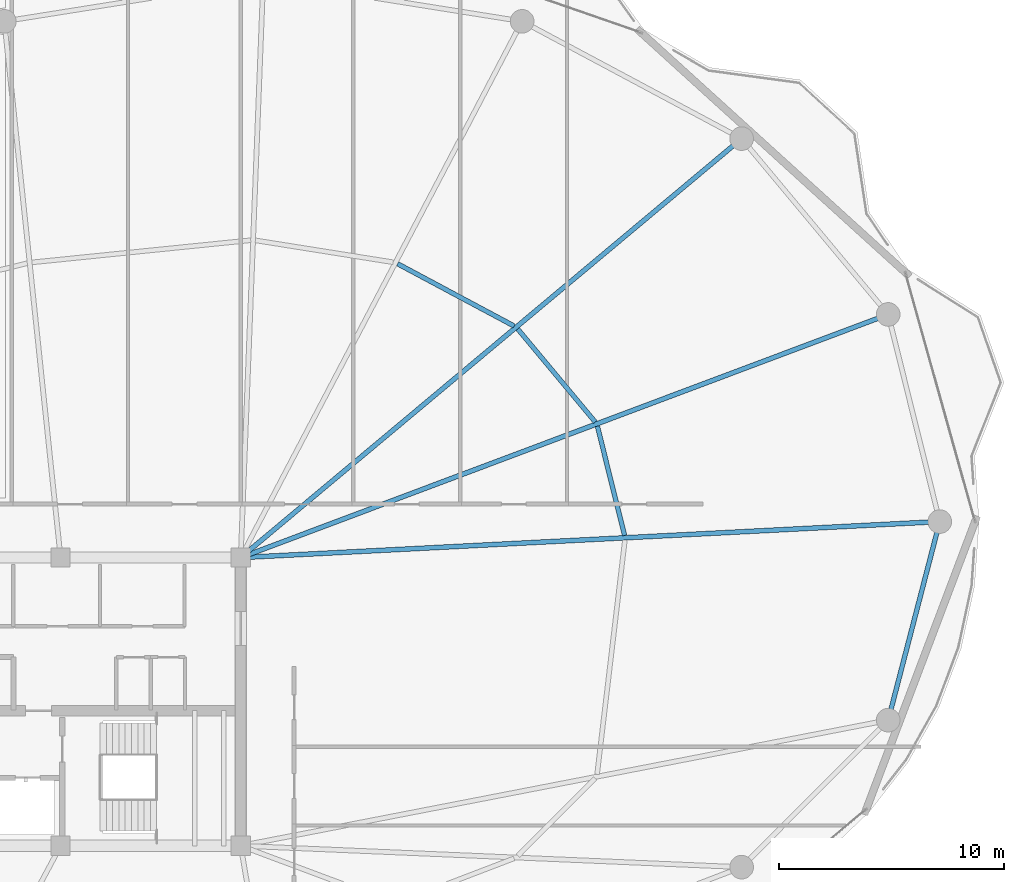
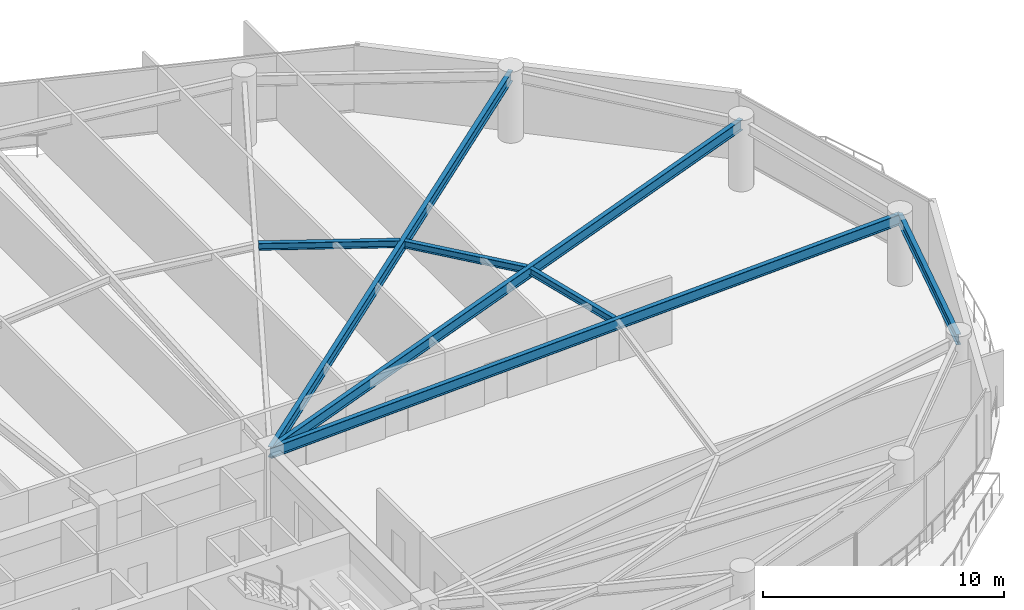
# One storey, part 14 of 28: 7 beams.
"""IFC4 building model written with IfcOpenShell, lengths in metres."""

import ifcopenshell
import ifcopenshell.guid

model = None  # the IFC model being written
_history = None  # IfcOwnerHistory: only IFC2X3 demands one
_inside = {}  # id of a spatial element -> (the spatial element, [elements in it])
_under = {}  # id of a project, library or spatial element -> (it, [spatial elements below it])
_declared = {}  # id of a project -> (the project, [libraries it declares])
_typed = {}  # id of a type object -> (the type object, [elements of that type])
_made_of = {}  # id of a material, layer set ... -> (it, [elements and type objects made of it])


def new_model(schema):
    """Start an empty IFC model of exactly this schema.

    Asked for "IFC4X3", IfcOpenShell would pick the latest addendum, in which some entities
    have other attributes; the version numbers below select the first issue.
    IFC2X3 requires an IfcOwnerHistory on every rooted entity: one is made here for all.
    """
    global model, _history
    if schema == "IFC4X3":
        model = ifcopenshell.file(schema_version=(4, 3, 0, 0))
    else:
        model = ifcopenshell.file(schema=schema)
    _inside.clear()
    _under.clear()
    _declared.clear()
    _typed.clear()
    _made_of.clear()
    _history = None
    if model.schema == "IFC2X3":
        org = make("IfcOrganization", Name="unknown")
        user = make(
            "IfcPersonAndOrganization",
            ThePerson=make("IfcPerson", FamilyName="unknown"),
            TheOrganization=org,
        )
        app = make(
            "IfcApplication",
            ApplicationDeveloper=org,
            Version="unknown",
            ApplicationFullName="unknown",
            ApplicationIdentifier="unknown",
        )
        _history = make(
            "IfcOwnerHistory",
            OwningUser=user,
            OwningApplication=app,
            ChangeAction="ADDED",
            CreationDate=0,
        )
    return model


def make(cls, **values):
    """One entity of the class cls with the attributes given. An attribute that is None is left unset."""
    return model.create_entity(
        cls, **{name: value for name, value in values.items() if value is not None}
    )


def rooted(cls, **values):
    """An entity with a GlobalId (a new one), such as an element, a storey or a relation."""
    return make(cls, GlobalId=ifcopenshell.guid.new(), OwnerHistory=_history, **values)


def si_unit(unit_type, name, prefix=None):
    """IfcSIUnit, for example si_unit("LENGTHUNIT", "METRE", prefix="MILLI")."""
    return make("IfcSIUnit", UnitType=unit_type, Prefix=prefix, Name=name)


def assignment(units):
    """IfcUnitAssignment: the units of a project."""
    return None if units is None else make("IfcUnitAssignment", Units=units)


def point(xyz):
    """IfcCartesianPoint."""
    return None if xyz is None else make("IfcCartesianPoint", Coordinates=xyz)


def direction(xyz):
    """IfcDirection."""
    return None if xyz is None else make("IfcDirection", DirectionRatios=xyz)


def frame(location, z_axis=None, x_axis=None):
    """IfcAxis2Placement3D, a coordinate frame: its origin and axes. An axis left out is left unset."""
    return make(
        "IfcAxis2Placement3D",
        Location=point(location),
        Axis=direction(z_axis),
        RefDirection=direction(x_axis),
    )


def frame_2d(location, x_axis=None):
    """IfcAxis2Placement2D, a coordinate frame in the plane: its origin and x axis."""
    return make(
        "IfcAxis2Placement2D", Location=point(location), RefDirection=direction(x_axis)
    )


def origin():
    """The frame at (0, 0, 0) with its axes left unset."""
    return frame((0.0, 0.0, 0.0))


def origin_2d():
    """The frame at (0, 0) in the plane with its x axis left unset."""
    return frame_2d((0.0, 0.0))


def place(relative_to, where):
    """IfcLocalPlacement: puts the frame where relative to a parent placement (None: the world)."""
    return make(
        "IfcLocalPlacement", PlacementRelTo=relative_to, RelativePlacement=where
    )


def context(
    kind, dimensions, precision=None, world=None, true_north=None, identifier=None
):
    """IfcGeometricRepresentationContext, for example the 3D "Model" context."""
    return make(
        "IfcGeometricRepresentationContext",
        ContextIdentifier=identifier,
        ContextType=kind,
        CoordinateSpaceDimension=dimensions,
        Precision=precision,
        WorldCoordinateSystem=world,
        TrueNorth=true_north,
    )


def subcontext(parent, identifier, kind, view, scale=None):
    """IfcGeometricRepresentationSubContext, for example "Body" below "Model"."""
    return make(
        "IfcGeometricRepresentationSubContext",
        ContextIdentifier=identifier,
        ContextType=kind,
        ParentContext=parent,
        TargetScale=scale,
        TargetView=view,
    )


def project(units=None, contexts=None):
    """IfcProject with its units and contexts."""
    return rooted(
        "IfcProject",
        Name="project",
        RepresentationContexts=contexts,
        UnitsInContext=assignment(units),
    )


def spatial(cls, under=None, at=None, **own):
    """A site, building, storey or space (cls), placed at a placement, below another one or the project."""
    s = rooted(cls, ObjectPlacement=at, **own)
    if under is not None:
        _under.setdefault(under.id(), (under, []))[1].append(s)
    return s


def profile(cls, at=None, kind="AREA", **sizes):
    """A parametric profile (cls). Its sizes go by their IFC names, for example OverallWidth=200.0."""
    return make(cls, ProfileType=kind, Position=at, **sizes)


def i_section(**sizes):
    """IfcIShapeProfileDef."""
    return profile("IfcIShapeProfileDef", **sizes)


def extrude(swept, where, along, depth):
    """IfcExtrudedAreaSolid: the profile swept, set in the frame where, extruded along a direction by depth."""
    return make(
        "IfcExtrudedAreaSolid",
        SweptArea=swept,
        Position=where,
        ExtrudedDirection=direction(along),
        Depth=depth,
    )


def shape(context_of_items, identifier, shape_type, items):
    """IfcShapeRepresentation: the items that make up one representation, for example the "Body"."""
    return make(
        "IfcShapeRepresentation",
        ContextOfItems=context_of_items,
        RepresentationIdentifier=identifier,
        RepresentationType=shape_type,
        Items=items,
    )


def material(Name=None, Category=None):
    """IfcMaterial."""
    return make("IfcMaterial", Name=Name, Category=Category)


def material_profile(
    of_material, cross_section, Name=None, Category=None, Priority=None
):
    """IfcMaterialProfile: a cross section and its material."""
    return make(
        "IfcMaterialProfile",
        Name=Name,
        Material=of_material,
        Profile=cross_section,
        Priority=Priority,
        Category=Category,
    )


def profile_set(profiles, Name=None, composite=None):
    """IfcMaterialProfileSet."""
    return make(
        "IfcMaterialProfileSet",
        Name=Name,
        MaterialProfiles=profiles,
        CompositeProfile=composite,
    )


def made_of(thing, what):
    """Note that an element or type object is made of a material, layer set ...; save() writes the relation."""
    if what is not None:
        _made_of.setdefault(what.id(), (what, []))[1].append(thing)
    return thing


def type_object(cls, material=None, **own):
    """A type object (cls), such as IfcWallType, which elements share."""
    return made_of(rooted(cls, **own), material)


def element(
    cls,
    number,
    at=None,
    inside=None,
    cuts=None,
    type_object=None,
    material=None,
    context=None,
    identifier="Body",
    shape_type=None,
    held_by="IfcProductDefinitionShape",
    body=None,
    shapes=None,
    **own,
):
    """One element of the class cls, such as IfcWall. Its Tag is "e" and its number.

    at: its placement. inside: the storey or other place that contains it. cuts: it is an
    opening in that element (IfcRelVoidsElement). A single representation is given by context,
    identifier, shape_type and body (its items); several are given by shapes. held_by: the class
    of the entity that holds the representations. save() writes the other relations.
    """
    e = rooted(cls, Tag="e%d" % number, ObjectPlacement=at, **own)
    if body is not None:
        shapes = [shape(context, identifier, shape_type, body)]
    if shapes is not None:
        e.Representation = make(held_by, Representations=shapes)
    if inside is not None:
        _inside.setdefault(inside.id(), (inside, []))[1].append(e)
    if cuts is not None:
        rooted(
            "IfcRelVoidsElement", RelatingBuildingElement=cuts, RelatedOpeningElement=e
        )
    if type_object is not None:
        _typed.setdefault(type_object.id(), (type_object, []))[1].append(e)
    return made_of(e, material)


def aggregate(whole, parts):
    """IfcRelAggregates: a whole, such as a stair, and the parts it consists of."""
    return rooted("IfcRelAggregates", RelatingObject=whole, RelatedObjects=parts)


def save(model, path):
    """Write the relations noted so far, then the file.

    IfcRelAggregates (storeys below a building ...), IfcRelContainedInSpatialStructure (elements
    in a storey), IfcRelDefinesByType, IfcRelAssociatesMaterial and IfcRelDeclares: one each for
    every whole, place, type object, material and project.
    """
    for whole, parts in _under.values():
        aggregate(whole, parts)
    for where, things in _inside.values():
        rooted(
            "IfcRelContainedInSpatialStructure",
            RelatedElements=things,
            RelatingStructure=where,
        )
    for kind, things in _typed.values():
        rooted("IfcRelDefinesByType", RelatedObjects=things, RelatingType=kind)
    for what, things in _made_of.values():
        rooted("IfcRelAssociatesMaterial", RelatedObjects=things, RelatingMaterial=what)
    for by, libraries in _declared.values():
        rooted("IfcRelDeclares", RelatingContext=by, RelatedDefinitions=libraries)
    model.write(path)


model = new_model("IFC4")

# Units and contexts
model_context = context("Model", 3, precision=1e-05, world=origin(), true_north=direction((0.0, 1.0)))
body_context = subcontext(model_context, "Body", "Model", "MODEL_VIEW")
ifc_project = project(units=[si_unit("LENGTHUNIT", "METRE"), si_unit("AREAUNIT", "SQUARE_METRE"), si_unit("VOLUMEUNIT", "CUBIC_METRE"), si_unit("PLANEANGLEUNIT", "RADIAN"), si_unit("MASSUNIT", "GRAM", prefix="KILO")], contexts=[model_context])

# Site, building, storey
site_placement = place(None, origin())
site = spatial("IfcSite", under=ifc_project, at=site_placement, CompositionType="ELEMENT")
building_placement = place(site_placement, origin())
building = spatial("IfcBuilding", under=site, at=building_placement, Name="Kazevale Care Tower and Concert Hall", CompositionType="ELEMENT")
storey_placement = place(building_placement, frame((0.0, 0.0, 228.0)))
storey = spatial("IfcBuildingStorey", under=building, at=storey_placement, Name="L60", CompositionType="ELEMENT", Elevation=228.0)

# Beams
ifc_material = material(Name="Steel ASTM A572 Gr 50", Category="steel")
ifc_material_profile_1 = material_profile(ifc_material, i_section(OverallWidth=0.2119140625, OverallDepth=0.5439453125, WebThickness=0.01318359375, FlangeThickness=0.021240234375, at=origin_2d()), Name="W530x123")
ifc_profile_set_1 = profile_set([ifc_material_profile_1], Name="Steel ASTM A572 Gr 50")
beam_type_1 = type_object("IfcBeamType", Name="Radial Floor Girder W530x123", PredefinedType="BEAM", material=ifc_profile_set_1)
beam_1_placement = place(storey_placement, frame((44.0, 36.39990234375, 3.087890625), z_axis=(0.998674821251, 0.051464564506, 0.0), x_axis=(-0.051464564506, 0.998674821251, 0.0)))
element("IfcBeam", 1, at=beam_1_placement, inside=storey, type_object=beam_type_1, Name="beam:L60:rad:01", PredefinedType="BEAM", context=body_context, shape_type="SweptSolid", body=[
    extrude(i_section(OverallWidth=0.2119140625, OverallDepth=0.5439453125, WebThickness=0.01318359375, FlangeThickness=0.021240234375, at=origin_2d()), origin(), (0.0, 0.0, 1.0), 31.09130859375),
])
beam_2_placement = place(storey_placement, frame((44.0, 36.39990234375, 3.087890625), z_axis=(0.936168070124, 0.351552762015, 0.0), x_axis=(-0.351552762015, 0.936168070124, 0.0)))
element("IfcBeam", 2, at=beam_2_placement, inside=storey, type_object=beam_type_1, Name="beam:L60:rad:02", PredefinedType="BEAM", context=body_context, shape_type="SweptSolid", body=[
    extrude(i_section(OverallWidth=0.2119140625, OverallDepth=0.5439453125, WebThickness=0.01318359375, FlangeThickness=0.021240234375, at=origin_2d()), origin(), (0.0, 0.0, 1.0), 30.720947265625),
])
beam_3_placement = place(storey_placement, frame((44.0, 36.39990234375, 3.087890625), z_axis=(0.767059624015, 0.64157582031, 0.0), x_axis=(-0.64157582031, 0.767059624015, 0.0)))
element("IfcBeam", 3, at=beam_3_placement, inside=storey, type_object=beam_type_1, Name="beam:L60:rad:03", PredefinedType="BEAM", context=body_context, shape_type="SweptSolid", body=[
    extrude(i_section(OverallWidth=0.2119140625, OverallDepth=0.5439453125, WebThickness=0.01318359375, FlangeThickness=0.021240234375, at=origin_2d()), origin(), (0.0, 0.0, 1.0), 29.0068359375),
])
ifc_material_profile_2 = material_profile(ifc_material, i_section(OverallWidth=0.205078125, OverallDepth=0.35400390625, WebThickness=0.009521484375, FlangeThickness=0.016845703125, at=origin_2d()), Name="W360x79")
ifc_profile_set_2 = profile_set([ifc_material_profile_2], Name="Steel ASTM A572 Gr 50")
beam_type_2 = type_object("IfcBeamType", Name="Secondary Floor Joist W360x79", PredefinedType="JOIST", material=ifc_profile_set_2)
beam_4_placement = place(storey_placement, frame((61.052001953125, 37.382080078125, 3.18310546875), z_axis=(-0.241594204931, 0.970377369967, 0.0), x_axis=(-0.970377369967, -0.241594204931, 0.0)))
element("IfcBeam", 4, at=beam_4_placement, inside=storey, type_object=beam_type_2, Name="beam:L60:joist:01", PredefinedType="JOIST", context=body_context, shape_type="SweptSolid", body=[
    extrude(i_section(OverallWidth=0.205078125, OverallDepth=0.35400390625, WebThickness=0.009521484375, FlangeThickness=0.016845703125, at=origin_2d()), origin(), (0.0, 0.0, 1.0), 5.004150390625),
])
beam_5_placement = place(storey_placement, frame((59.7509765625, 42.4208984375, 3.18310546875), z_axis=(-0.640295940788, 0.768128314939, 0.0), x_axis=(-0.768128314939, -0.640295940788, 0.0)))
element("IfcBeam", 5, at=beam_5_placement, inside=storey, type_object=beam_type_2, Name="beam:L60:joist:02", PredefinedType="JOIST", context=body_context, shape_type="SweptSolid", body=[
    extrude(i_section(OverallWidth=0.205078125, OverallDepth=0.35400390625, WebThickness=0.009521484375, FlangeThickness=0.016845703125, at=origin_2d()), origin(), (0.0, 0.0, 1.0), 5.3818359375),
])
beam_6_placement = place(storey_placement, frame((56.14501953125, 46.68505859375, 3.18310546875), z_axis=(-0.881943890935, 0.471354403016, 0.0), x_axis=(-0.471354403016, -0.881943890935, 0.0)))
element("IfcBeam", 6, at=beam_6_placement, inside=storey, type_object=beam_type_2, Name="beam:L60:joist:03", PredefinedType="JOIST", context=body_context, shape_type="SweptSolid", body=[
    extrude(i_section(OverallWidth=0.205078125, OverallDepth=0.35400390625, WebThickness=0.009521484375, FlangeThickness=0.016845703125, at=origin_2d()), origin(), (0.0, 0.0, 1.0), 5.869873046875),
])
ifc_material_profile_3 = material_profile(ifc_material, i_section(OverallWidth=0.208984375, OverallDepth=0.532958984375, WebThickness=0.01025390625, FlangeThickness=0.015625, at=origin_2d()), Name="W530x92")
ifc_profile_set_3 = profile_set([ifc_material_profile_3], Name="Steel ASTM A572 Gr 50")
beam_type_3 = type_object("IfcBeamType", Name="Upper Ring Beam W530x92", PredefinedType="BEAM", material=ifc_profile_set_3)
beam_7_placement = place(storey_placement, frame((72.760009765625, 29.179931640625, 3.093505859375), z_axis=(0.251307095899, 0.96790740443, 0.0), x_axis=(-0.96790740443, 0.251307095899, 0.0)))
element("IfcBeam", 7, at=beam_7_placement, inside=storey, type_object=beam_type_3, Name="beam:L60:ring:16", PredefinedType="BEAM", context=body_context, shape_type="SweptSolid", body=[
    extrude(i_section(OverallWidth=0.208984375, OverallDepth=0.532958984375, WebThickness=0.01025390625, FlangeThickness=0.015625, at=origin_2d()), origin(), (0.0, 0.0, 1.0), 9.112548828125),
])

save(model, "model.ifc")
